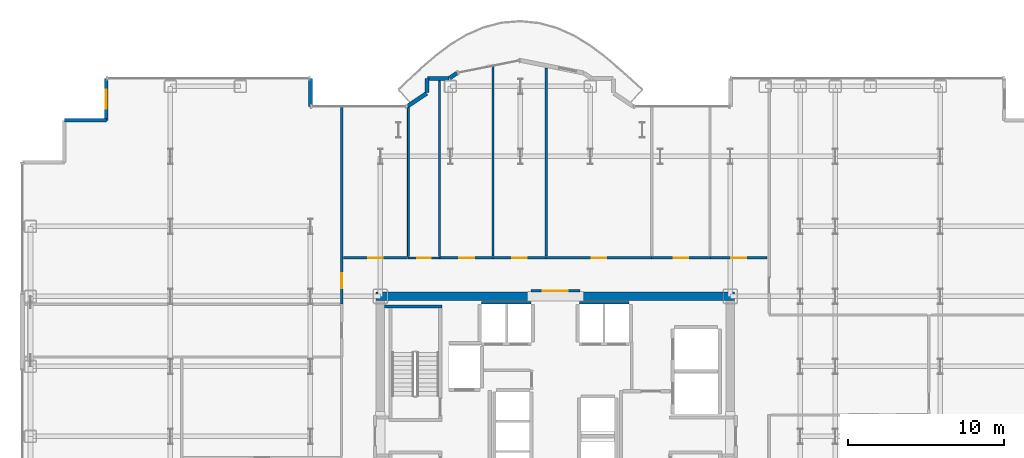
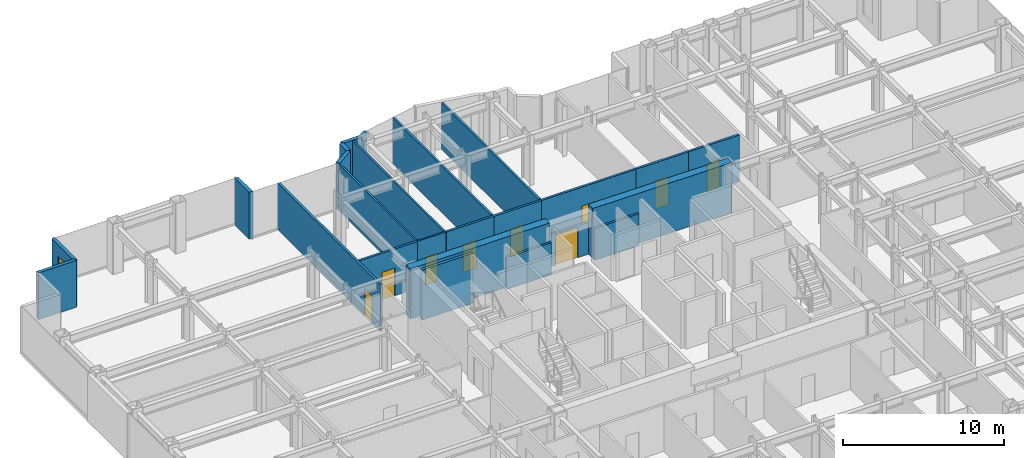
# One storey, part 26 of 29: 25 walls, 9 doors, 1 window, 10 openings.
"""IFC4 building model written with IfcOpenShell, lengths in metres."""

from ifc_helpers import new_model, si_unit, direction, frame, frame_2d, origin, place, context, subcontext, project, spatial, rectangle, extrude, source, transform, mapped, material, layer, layer_set, type_object, element, fill, save


model = new_model("IFC4")

# Units and contexts
model_context = context("Model", 3, precision=1e-05, world=origin(), true_north=direction((0.0, 1.0)))
body_context = subcontext(model_context, "Body", "Model", "MODEL_VIEW")
ifc_project = project(units=[si_unit("LENGTHUNIT", "METRE"), si_unit("AREAUNIT", "SQUARE_METRE"), si_unit("VOLUMEUNIT", "CUBIC_METRE"), si_unit("PLANEANGLEUNIT", "RADIAN"), si_unit("MASSUNIT", "GRAM", prefix="KILO")], contexts=[model_context])

# Site, building, storey
site_placement = place(None, origin())
site = spatial("IfcSite", under=ifc_project, at=site_placement, CompositionType="ELEMENT")
building_placement = place(site_placement, origin())
building = spatial("IfcBuilding", under=site, at=building_placement, Name="Nefas-Gora Pilgrimage Tower", CompositionType="ELEMENT")
storey_placement = place(building_placement, frame((0.0, 0.0, 113.60009765625)))
storey = spatial("IfcBuildingStorey", under=building, at=storey_placement, Name="L27", CompositionType="ELEMENT", Elevation=113.60009765625)

# Walls
ifc_material_1 = material(Name="Concrete C60/75", Category="concrete")
ifc_layer_1 = layer(ifc_material_1, 0.550048828125)
ifc_layer_set_1 = layer_set([ifc_layer_1], Name="Concrete C60/75")
wall_type_1 = type_object("IfcWallType", Name="SW-CORE-550", PredefinedType="SHEAR", material=ifc_layer_set_1)
shared_shape_1 = source(origin(), body_context, "Body", "SweptSolid", [
    extrude(rectangle(XDim=9.974853515625, YDim=0.550048828125, at=frame_2d((4.9873046875, 0.0))), origin(), (0.0, 0.0, 1.0), 3.7998046875),
])
for number, where, z_axis, x_axis, name in (
    (1, (-11.52490234375, 9.0, 0.0), (0.0, 0.0, 1.0), (1.0, 0.0, 0.0), "L27 Core Shear Wall N-West"),
    (2, (1.550048828125, 9.0, 0.0), (0.0, 0.0, 1.0), (1.0, 0.0, 0.0), "L27 Core Shear Wall N-East"),
):
    element("IfcWall", number, at=place(storey_placement, frame(where, z_axis=z_axis, x_axis=x_axis)), inside=storey, type_object=wall_type_1, Name=name, PredefinedType="SHEAR", context=body_context, shape_type="MappedRepresentation", body=[
        mapped(shared_shape_1, transform((0.0, 0.0, 0.0), x_axis=(1.0, 0.0, 0.0), y_axis=(0.0, 1.0, 0.0), z_axis=(0.0, 0.0, 1.0), scale=1.0)),
    ])
ifc_material_2 = material(Name="Precast concrete C40/50", Category="concrete")
ifc_layer_2 = layer(ifc_material_2, 0.260009765625)
ifc_layer_set_2 = layer_set([ifc_layer_2], Name="Precast concrete C40/50")
wall_type_2 = type_object("IfcWallType", Name="EW-PORTAL-260", PredefinedType="SOLIDWALL", material=ifc_layer_set_2)
shared_shape_2 = source(origin(), body_context, "Body", "SweptSolid", [
    extrude(rectangle(XDim=1.800048828125, YDim=0.260009765625, at=frame_2d((0.89990234375, 0.0))), origin(), (0.0, 0.0, 1.0), 3.5498046875),
])
wall_1_placement = place(storey_placement, frame((-15.75, 21.219970703125, 0.0), z_axis=(0.0, 0.0, 1.0), x_axis=(0.0, 1.0, 0.0)))
element("IfcWall", 3, at=wall_1_placement, inside=storey, type_object=wall_type_2, Name="L27 Lobe Shoulder Precast Spandrel Pier 24", PredefinedType="SOLIDWALL", context=body_context, shape_type="MappedRepresentation", body=[
    mapped(shared_shape_2, transform((0.0, 0.0, 0.0), x_axis=(1.0, 0.0, 0.0), y_axis=(0.0, 1.0, 0.0), z_axis=(0.0, 0.0, 1.0), scale=1.0)),
])

# Wall, opening, window
ifc_material_3 = material(Name="Precast concrete C45/55", Category="concrete")
ifc_layer_3 = layer(ifc_material_3, 0.239990234375)
ifc_layer_set_3 = layer_set([ifc_layer_3], Name="Precast concrete C45/55")
wall_type_3 = type_object("IfcWallType", Name="EW-SERR-240", PredefinedType="SHEAR", material=ifc_layer_set_3)
shared_shape_3 = source(origin(), body_context, "Body", "SweptSolid", [
    extrude(rectangle(XDim=2.699951171875, YDim=0.239990234375, at=frame_2d((1.35009765625, 0.0))), origin(), (0.0, 0.0, 1.0), 3.5498046875),
])
wall_2_placement = place(storey_placement, frame((-28.8701171875, 23.02001953125, 0.0), z_axis=(0.0, 0.0, 1.0), x_axis=(0.0, -1.0, 0.0)))
wall_2 = element("IfcWall", 4, at=wall_2_placement, inside=storey, type_object=wall_type_3, Name="L27 Serrated Corner Shear Pier Wall 25", PredefinedType="SHEAR", context=body_context, shape_type="MappedRepresentation", body=[
    mapped(shared_shape_3, transform((0.0, 0.0, 0.0), x_axis=(1.0, 0.0, 0.0), y_axis=(0.0, 1.0, 0.0), z_axis=(0.0, 0.0, 1.0), scale=1.0)),
])
opening_1_placement = place(wall_2_placement, frame((0.75, 0.0, 0.85009765625)))
opening_1 = element("IfcOpeningElement", 5, at=opening_1_placement, cuts=wall_2, Name="Opening W-V1", PredefinedType="OPENING", context=body_context, shape_type="SweptSolid", body=[
    extrude(rectangle(XDim=1.199951171875, YDim=1.800048828125, at=frame_2d((0.60009765625, 0.89990234375))), frame((0.0, 0.1298828125, 0.0), z_axis=(0.0, -1.0, 0.0), x_axis=(1.0, 0.0, 0.0)), (0.0, 0.0, 1.0), 0.260009765625),
])
ifc_material_4 = material(Name="Dark ceramic-fritted operable aluminium-glass window", Category="aluminium")
window_type = type_object("IfcWindowType", Name="WIN-VENT-1200x1800", PartitioningType="SINGLE_PANEL", PredefinedType="WINDOW", material=ifc_material_4)
shared_shape_4 = source(origin(), body_context, "Body", "SweptSolid", [
    extrude(rectangle(XDim=1.199951171875, YDim=1.800048828125, at=frame_2d((0.60009765625, 0.89990234375))), frame((0.0, 0.030029296875, 0.0), z_axis=(0.0, -1.0, 0.0), x_axis=(1.0, 0.0, 0.0)), (0.0, 0.0, 1.0), 0.06005859375),
])
window_placement = place(opening_1_placement, origin())
window = element("IfcWindow", 6, at=window_placement, inside=storey, type_object=window_type, Name="L27 Operable Parallel-Outswing Window 25", OverallHeight=1.800048828125, OverallWidth=1.199951171875, PartitioningType="SINGLE_PANEL", PredefinedType="WINDOW", context=body_context, shape_type="MappedRepresentation", body=[
    mapped(shared_shape_4, transform((0.0, 0.0, 0.0), x_axis=(1.0, 0.0, 0.0), y_axis=(0.0, 1.0, 0.0), z_axis=(0.0, 0.0, 1.0), scale=1.0)),
])
fill(opening_1, window)

# Walls
wall_3_placement = place(storey_placement, frame((-28.8701171875, 20.320068359375, 0.0), z_axis=(0.0, 0.0, 1.0), x_axis=(-1.0, 0.0, 0.0)))
element("IfcWall", 7, at=wall_3_placement, inside=storey, type_object=wall_type_3, Name="L27 Serrated Corner Shear Pier Wall 26", PredefinedType="SHEAR", context=body_context, shape_type="MappedRepresentation", body=[
    mapped(shared_shape_3, transform((0.0, 0.0, 0.0), x_axis=(1.0, 0.0, 0.0), y_axis=(0.0, 1.0, 0.0), z_axis=(0.0, 0.0, 1.0), scale=1.0)),
])
shared_shape_5 = source(origin(), body_context, "Body", "SweptSolid", [
    extrude(rectangle(XDim=1.468994140625, YDim=0.260009765625, at=frame_2d((0.734375, 0.0))), origin(), (0.0, 0.0, 1.0), 3.5498046875),
])
wall_4_placement = place(storey_placement, frame((-8.273193359375, 22.0517578125, 0.0), z_axis=(0.0, 0.0, 1.0), x_axis=(-0.831461760506, -0.555581983884, 0.0)))
element("IfcWall", 8, at=wall_4_placement, inside=storey, type_object=wall_type_2, Name="L27 Lobe Shoulder Precast Spandrel Pier 23", PredefinedType="SOLIDWALL", context=body_context, shape_type="MappedRepresentation", body=[
    mapped(shared_shape_5, transform((0.0, 0.0, 0.0), x_axis=(1.0, 0.0, 0.0), y_axis=(0.0, 1.0, 0.0), z_axis=(0.0, 0.0, 1.0), scale=1.0)),
])
shared_shape_6 = source(origin(), body_context, "Body", "SweptSolid", [
    extrude(rectangle(XDim=0.896728515625, YDim=0.260009765625, at=frame_2d((0.4482421875, 0.0))), origin(), (0.0, 0.0, 1.0), 3.5498046875),
])
wall_5_placement = place(storey_placement, frame((-8.25, 22.991943359375, 0.0), z_axis=(0.0, 0.0, 1.0), x_axis=(0.0, -1.0, 0.0)))
element("IfcWall", 9, at=wall_5_placement, inside=storey, type_object=wall_type_2, Name="L27 Lobe Shoulder Precast Spandrel Pier 22", PredefinedType="SOLIDWALL", context=body_context, shape_type="MappedRepresentation", body=[
    mapped(shared_shape_6, transform((0.0, 0.0, 0.0), x_axis=(1.0, 0.0, 0.0), y_axis=(0.0, 1.0, 0.0), z_axis=(0.0, 0.0, 1.0), scale=1.0)),
])
shared_shape_7 = source(origin(), body_context, "Body", "SweptSolid", [
    extrude(rectangle(XDim=1.369873046875, YDim=0.260009765625, at=frame_2d((0.68505859375, 0.0))), origin(), (0.0, 0.0, 1.0), 3.5498046875),
])
wall_6_placement = place(storey_placement, frame((-6.85205078125, 23.02001953125, 0.0), z_axis=(0.0, 0.0, 1.0), x_axis=(-1.0, 0.0, 0.0)))
element("IfcWall", 10, at=wall_6_placement, inside=storey, type_object=wall_type_2, Name="L27 Lobe Shoulder Precast Spandrel Pier 21", PredefinedType="SOLIDWALL", context=body_context, shape_type="MappedRepresentation", body=[
    mapped(shared_shape_7, transform((0.0, 0.0, 0.0), x_axis=(1.0, 0.0, 0.0), y_axis=(0.0, 1.0, 0.0), z_axis=(0.0, 0.0, 1.0), scale=1.0)),
])
shared_shape_8 = source(origin(), body_context, "Body", "SweptSolid", [
    extrude(rectangle(XDim=0.5654296875, YDim=0.260009765625, at=frame_2d((0.28271484375, 0.0))), origin(), (0.0, 0.0, 1.0), 3.5498046875),
])
wall_7_placement = place(storey_placement, frame((-6.33056640625, 23.349609375, 0.0), z_axis=(0.0, 0.0, 1.0), x_axis=(-0.831651492666, -0.555297933317, 0.0)))
element("IfcWall", 11, at=wall_7_placement, inside=storey, type_object=wall_type_2, Name="L27 Lobe Shoulder Precast Spandrel Pier 20", PredefinedType="SOLIDWALL", context=body_context, shape_type="MappedRepresentation", body=[
    mapped(shared_shape_8, transform((0.0, 0.0, 0.0), x_axis=(1.0, 0.0, 0.0), y_axis=(0.0, 1.0, 0.0), z_axis=(0.0, 0.0, 1.0), scale=1.0)),
])
ifc_material_5 = material(Name="Concrete C45/55", Category="concrete")
ifc_layer_4 = layer(ifc_material_5, 0.199951171875)
ifc_layer_set_4 = layer_set([ifc_layer_4], Name="Concrete C45/55")
wall_type_4 = type_object("IfcWallType", Name="IW-STAIR-200", PredefinedType="SOLIDWALL", material=ifc_layer_set_4)
shared_shape_9 = source(origin(), body_context, "Body", "SweptSolid", [
    extrude(rectangle(XDim=3.679931640625, YDim=0.199951171875, at=frame_2d((1.83984375, 0.0))), origin(), (0.0, 0.0, 1.0), 3.7998046875),
])
wall_8_placement = place(storey_placement, frame((-7.300048828125, 8.35009765625, 0.0), z_axis=(0.0, 0.0, 1.0), x_axis=(-1.0, 0.0, 0.0)))
element("IfcWall", 12, at=wall_8_placement, inside=storey, type_object=wall_type_4, Name="L27 Stairwell Shear Wall ST-01-far", PredefinedType="SOLIDWALL", context=body_context, shape_type="MappedRepresentation", body=[
    mapped(shared_shape_9, transform((0.0, 0.0, 0.0), x_axis=(1.0, 0.0, 0.0), y_axis=(0.0, 1.0, 0.0), z_axis=(0.0, 0.0, 1.0), scale=1.0)),
])
ifc_material_6 = material(Name="Gypsum acoustic stud partition")
ifc_layer_5 = layer(ifc_material_6, 0.159912109375)
ifc_layer_set_5 = layer_set([ifc_layer_5], Name="Gypsum acoustic stud partition")
wall_type_5 = type_object("IfcWallType", Name="IW-CORR-160", PredefinedType="PARTITIONING", material=ifc_layer_set_5)
shared_shape_10 = source(origin(), body_context, "Body", "SweptSolid", [
    extrude(rectangle(XDim=3.199951171875, YDim=0.159912109375, at=frame_2d((1.60009765625, 0.0))), origin(), (0.0, 0.0, 1.0), 2.4248046875),
])
for number, where, z_axis, x_axis, name in (
    (13, (-1.550048828125, 8.580078125, 0.0), (0.0, 0.0, 1.0), (-1.0, 0.0, 0.0), "L27 Hoistway Wall PL1-W-N"),
    (14, (4.75, 8.580078125, 0.0), (0.0, 0.0, 1.0), (-1.0, 0.0, 0.0), "L27 Hoistway Wall PL1-E-N"),
):
    element("IfcWall", number, at=place(storey_placement, frame(where, z_axis=z_axis, x_axis=x_axis)), inside=storey, type_object=wall_type_5, Name=name, PredefinedType="PARTITIONING", context=body_context, shape_type="MappedRepresentation", body=[
        mapped(shared_shape_10, transform((0.0, 0.0, 0.0), x_axis=(1.0, 0.0, 0.0), y_axis=(0.0, 1.0, 0.0), z_axis=(0.0, 0.0, 1.0), scale=1.0)),
    ])

# Wall, opening, door
ifc_material_7 = material(Name="Moisture-resistant fire-rated gypsum partition")
ifc_layer_6 = layer(ifc_material_7, 0.1201171875)
ifc_layer_set_6 = layer_set([ifc_layer_6], Name="Moisture-resistant fire-rated gypsum partition")
wall_type_6 = type_object("IfcWallType", Name="IW-WET-120", PredefinedType="PLUMBINGWALL", material=ifc_layer_set_6)
shared_shape_11 = source(origin(), body_context, "Body", "SweptSolid", [
    extrude(rectangle(XDim=2.02001953125, YDim=0.1201171875, at=frame_2d((1.010009765625, 0.0))), origin(), (0.0, 0.0, 1.0), 3.534912109375),
])
wall_9_placement = place(storey_placement, frame((-9.4599609375, 11.469970703125, 0.0), z_axis=(0.0, 0.0, 1.0), x_axis=(1.0, 0.0, 0.0)))
wall_9 = element("IfcWall", 15, at=wall_9_placement, inside=storey, type_object=wall_type_6, Name="L27 Accessible Unisex WC Partition Wall 20", PredefinedType="PLUMBINGWALL", context=body_context, shape_type="MappedRepresentation", body=[
    mapped(shared_shape_11, transform((0.0, 0.0, 0.0), x_axis=(1.0, 0.0, 0.0), y_axis=(0.0, 1.0, 0.0), z_axis=(0.0, 0.0, 1.0), scale=1.0)),
])
opening_2_placement = place(wall_9_placement, frame((0.5849609375, 0.0, 0.0)))
opening_2 = element("IfcOpeningElement", 16, at=opening_2_placement, cuts=wall_9, Name="Opening ID-BT1", PredefinedType="OPENING", context=body_context, shape_type="SweptSolid", body=[
    extrude(rectangle(XDim=0.85009765625, YDim=2.10009765625, at=frame_2d((0.425048828125, 1.050048828125))), frame((0.0, 0.070068359375, 0.0), z_axis=(0.0, -1.0, 0.0), x_axis=(1.0, 0.0, 0.0)), (0.0, 0.0, 1.0), 0.14013671875),
])
ifc_material_8 = material(Name="Moisture-resistant fire-rated timber door", Category="wood")
door_type_1 = type_object("IfcDoorType", Name="DR-INT-BATH-850", OperationType="NOTDEFINED", PredefinedType="DOOR", material=ifc_material_8)
shared_shape_12 = source(origin(), body_context, "Body", "SweptSolid", [
    extrude(rectangle(XDim=0.85009765625, YDim=2.10009765625, at=frame_2d((0.425048828125, 1.050048828125))), frame((0.0, 0.02490234375, 0.0), z_axis=(0.0, -1.0, 0.0), x_axis=(1.0, 0.0, 0.0)), (0.0, 0.0, 1.0), 0.050048828125),
])
door_1_placement = place(opening_2_placement, origin())
door_1 = element("IfcDoor", 17, at=door_1_placement, inside=storey, type_object=door_type_1, Name="L27 Accessible Unisex WC Door 8", OperationType="SINGLE_SWING_RIGHT", OverallHeight=2.10009765625, OverallWidth=0.85009765625, PredefinedType="DOOR", context=body_context, shape_type="MappedRepresentation", body=[
    mapped(shared_shape_12, transform((0.0, 0.0, 0.0), x_axis=(1.0, 0.0, 0.0), y_axis=(0.0, 1.0, 0.0), z_axis=(0.0, 0.0, 1.0), scale=1.0)),
])
fill(opening_2, door_1)

# Walls
shared_shape_13 = source(origin(), body_context, "Body", "SweptSolid", [
    extrude(rectangle(XDim=11.280029296875, YDim=0.1201171875, at=frame_2d((5.64013671875, 0.0))), origin(), (0.0, 0.0, 1.0), 3.534912109375),
])
wall_10_placement = place(storey_placement, frame((-7.449951171875, 11.570068359375, 0.0), z_axis=(0.0, 0.0, 1.0), x_axis=(0.0, 1.0, 0.0)))
element("IfcWall", 18, at=wall_10_placement, inside=storey, type_object=wall_type_6, Name="L27 Accessible Unisex WC Partition Wall 21", PredefinedType="PLUMBINGWALL", context=body_context, shape_type="MappedRepresentation", body=[
    mapped(shared_shape_13, transform((0.0, 0.0, 0.0), x_axis=(1.0, 0.0, 0.0), y_axis=(0.0, 1.0, 0.0), z_axis=(0.0, 0.0, 1.0), scale=1.0)),
])
shared_shape_14 = source(origin(), body_context, "Body", "SweptSolid", [
    extrude(rectangle(XDim=9.586669921875, YDim=0.1201171875, at=frame_2d((4.79345703125, 0.0))), origin(), (0.0, 0.0, 1.0), 3.534912109375),
])
wall_11_placement = place(storey_placement, frame((-9.449951171875, 11.570068359375, 0.0), z_axis=(0.0, 0.0, 1.0), x_axis=(0.0, 1.0, 0.0)))
element("IfcWall", 19, at=wall_11_placement, inside=storey, type_object=wall_type_6, Name="L27 Accessible Unisex WC Partition Wall 22", PredefinedType="PLUMBINGWALL", context=body_context, shape_type="MappedRepresentation", body=[
    mapped(shared_shape_14, transform((0.0, 0.0, 0.0), x_axis=(1.0, 0.0, 0.0), y_axis=(0.0, 1.0, 0.0), z_axis=(0.0, 0.0, 1.0), scale=1.0)),
])

# Wall, opening, door
shared_shape_15 = source(origin(), body_context, "Body", "SweptSolid", [
    extrude(rectangle(XDim=4.125, YDim=0.159912109375, at=frame_2d((2.0625, 0.0))), origin(), (0.0, 0.0, 1.0), 3.534912109375),
])
wall_12_placement = place(storey_placement, frame((-13.6201171875, 11.469970703125, 0.0), z_axis=(0.0, 0.0, 1.0), x_axis=(1.0, 0.0, 0.0)))
wall_12 = element("IfcWall", 20, at=wall_12_placement, inside=storey, type_object=wall_type_5, Name="L27 Pilgrim Contemplative Lounge Partition Wall 44", PredefinedType="PARTITIONING", context=body_context, shape_type="MappedRepresentation", body=[
    mapped(shared_shape_15, transform((0.0, 0.0, 0.0), x_axis=(1.0, 0.0, 0.0), y_axis=(0.0, 1.0, 0.0), z_axis=(0.0, 0.0, 1.0), scale=1.0)),
])
opening_3_placement = place(wall_12_placement, frame((1.58740234375, 0.0, 0.0)))
opening_3 = element("IfcOpeningElement", 21, at=opening_3_placement, cuts=wall_12, Name="Opening ID-GR1", PredefinedType="OPENING", context=body_context, shape_type="SweptSolid", body=[
    extrude(rectangle(XDim=0.949951171875, YDim=2.10009765625, at=frame_2d((0.47509765625, 1.050048828125))), frame((0.0, 0.08984375, 0.0), z_axis=(0.0, -1.0, 0.0), x_axis=(1.0, 0.0, 0.0)), (0.0, 0.0, 1.0), 0.179931640625),
])
ifc_material_9 = material(Name="Solid core oak fire-rated guest entrance door")
door_type_2 = type_object("IfcDoorType", Name="DR-INT-GUEST-950", OperationType="NOTDEFINED", PredefinedType="DOOR", material=ifc_material_9)
shared_shape_16 = source(origin(), body_context, "Body", "SweptSolid", [
    extrude(rectangle(XDim=0.949951171875, YDim=2.10009765625, at=frame_2d((0.47509765625, 1.050048828125))), frame((0.0, 0.02490234375, 0.0), z_axis=(0.0, -1.0, 0.0), x_axis=(1.0, 0.0, 0.0)), (0.0, 0.0, 1.0), 0.050048828125),
])
door_2_placement = place(opening_3_placement, origin())
door_2 = element("IfcDoor", 22, at=door_2_placement, inside=storey, type_object=door_type_2, Name="L27 Pilgrim Contemplative Lounge Door 20", OperationType="SINGLE_SWING_RIGHT", OverallHeight=2.10009765625, OverallWidth=0.949951171875, PredefinedType="DOOR", context=body_context, shape_type="MappedRepresentation", body=[
    mapped(shared_shape_16, transform((0.0, 0.0, 0.0), x_axis=(1.0, 0.0, 0.0), y_axis=(0.0, 1.0, 0.0), z_axis=(0.0, 0.0, 1.0), scale=1.0)),
])
fill(opening_3, door_2)

shared_shape_17 = source(origin(), body_context, "Body", "SweptSolid", [
    extrude(rectangle(XDim=12.744873046875, YDim=0.159912109375, at=frame_2d((6.37255859375, 0.0))), origin(), (0.0, 0.0, 1.0), 3.534912109375),
])
wall_13_placement = place(storey_placement, frame((-13.739990234375, 8.4951171875, 0.0), z_axis=(0.0, 0.0, 1.0), x_axis=(0.0, 1.0, 0.0)))
wall_13 = element("IfcWall", 23, at=wall_13_placement, inside=storey, type_object=wall_type_5, Name="L27 Pilgrim Fellowship Seminar Room Partition Wall 33", PredefinedType="PARTITIONING", context=body_context, shape_type="MappedRepresentation", body=[
    mapped(shared_shape_17, transform((0.0, 0.0, 0.0), x_axis=(1.0, 0.0, 0.0), y_axis=(0.0, 1.0, 0.0), z_axis=(0.0, 0.0, 1.0), scale=1.0)),
])
opening_4_placement = place(wall_13_placement, frame((1.032470703125, 0.0, 0.0)))
opening_4 = element("IfcOpeningElement", 24, at=opening_4_placement, cuts=wall_13, Name="Opening ID-GR1", PredefinedType="OPENING", context=body_context, shape_type="SweptSolid", body=[
    extrude(rectangle(XDim=0.949951171875, YDim=2.10009765625, at=frame_2d((0.47509765625, 1.050048828125))), frame((0.0, 0.08984375, 0.0), z_axis=(0.0, -1.0, 0.0), x_axis=(1.0, 0.0, 0.0)), (0.0, 0.0, 1.0), 0.179931640625),
])
door_3_placement = place(opening_4_placement, origin())
door_3 = element("IfcDoor", 25, at=door_3_placement, inside=storey, type_object=door_type_2, Name="L27 Pilgrim Fellowship Seminar Room Door 14", OperationType="SINGLE_SWING_RIGHT", OverallHeight=2.10009765625, OverallWidth=0.949951171875, PredefinedType="DOOR", context=body_context, shape_type="MappedRepresentation", body=[
    mapped(shared_shape_16, transform((0.0, 0.0, 0.0), x_axis=(1.0, 0.0, 0.0), y_axis=(0.0, 1.0, 0.0), z_axis=(0.0, 0.0, 1.0), scale=1.0)),
])
fill(opening_4, door_3)

shared_shape_18 = source(origin(), body_context, "Body", "SweptSolid", [
    extrude(rectangle(XDim=3.16015625, YDim=0.159912109375, at=frame_2d((1.580078125, 0.0))), origin(), (0.0, 0.0, 1.0), 2.4248046875),
])
wall_14_placement = place(storey_placement, frame((-1.580078125, 9.35009765625, 0.0), z_axis=(0.0, 0.0, 1.0), x_axis=(1.0, 0.0, 0.0)))
wall_14 = element("IfcWall", 26, at=wall_14_placement, inside=storey, type_object=wall_type_5, Name="L27 Central Lift Lobby North Portal Wall 13", PredefinedType="PARTITIONING", context=body_context, shape_type="MappedRepresentation", body=[
    mapped(shared_shape_18, transform((0.0, 0.0, 0.0), x_axis=(1.0, 0.0, 0.0), y_axis=(0.0, 1.0, 0.0), z_axis=(0.0, 0.0, 1.0), scale=1.0)),
])
opening_5_placement = place(wall_14_placement, frame((0.780029296875, 0.0, 0.0)))
opening_5 = element("IfcOpeningElement", 27, at=opening_5_placement, cuts=wall_14, Name="Opening ID-HL1", PredefinedType="OPENING", context=body_context, shape_type="SweptSolid", body=[
    extrude(rectangle(XDim=1.60009765625, YDim=2.300048828125, at=frame_2d((0.800048828125, 1.14990234375))), frame((0.0, 0.08984375, 0.0), z_axis=(0.0, -1.0, 0.0), x_axis=(1.0, 0.0, 0.0)), (0.0, 0.0, 1.0), 0.179931640625),
])
ifc_material_10 = material(Name="Double acoustic timber assembly hall door", Category="wood")
door_type_3 = type_object("IfcDoorType", Name="DR-INT-HALL-1600", OperationType="DOUBLE_DOOR_SINGLE_SWING", PredefinedType="DOOR", material=ifc_material_10)
shared_shape_19 = source(origin(), body_context, "Body", "SweptSolid", [
    extrude(rectangle(XDim=1.60009765625, YDim=2.300048828125, at=frame_2d((0.800048828125, 1.14990234375))), frame((0.0, 0.02490234375, 0.0), z_axis=(0.0, -1.0, 0.0), x_axis=(1.0, 0.0, 0.0)), (0.0, 0.0, 1.0), 0.050048828125),
])
door_4_placement = place(opening_5_placement, origin())
door_4 = element("IfcDoor", 28, at=door_4_placement, inside=storey, type_object=door_type_3, Name="L27 Central Lift Lobby North Portal Door 4", OperationType="DOUBLE_DOOR_SINGLE_SWING", OverallHeight=2.300048828125, OverallWidth=1.60009765625, PredefinedType="DOOR", context=body_context, shape_type="MappedRepresentation", body=[
    mapped(shared_shape_19, transform((0.0, 0.0, 0.0), x_axis=(1.0, 0.0, 0.0), y_axis=(0.0, 1.0, 0.0), z_axis=(0.0, 0.0, 1.0), scale=1.0)),
])
fill(opening_5, door_4)

shared_shape_20 = source(origin(), body_context, "Body", "SweptSolid", [
    extrude(rectangle(XDim=6.80517578125, YDim=0.159912109375, at=frame_2d((3.402587890625, 0.0))), origin(), (0.0, 0.0, 1.0), 3.534912109375),
])
wall_15_placement = place(storey_placement, frame((-0.60009765625, 11.469970703125, 0.0), z_axis=(0.0, 0.0, 1.0), x_axis=(1.0, 0.0, 0.0)))
wall_15 = element("IfcWall", 29, at=wall_15_placement, inside=storey, type_object=wall_type_5, Name="L27 Pilgrim Contemplative Lounge Partition Wall 45", PredefinedType="PARTITIONING", context=body_context, shape_type="MappedRepresentation", body=[
    mapped(shared_shape_20, transform((0.0, 0.0, 0.0), x_axis=(1.0, 0.0, 0.0), y_axis=(0.0, 1.0, 0.0), z_axis=(0.0, 0.0, 1.0), scale=1.0)),
])
opening_6_placement = place(wall_15_placement, frame((2.927490234375, 0.0, 0.0)))
opening_6 = element("IfcOpeningElement", 30, at=opening_6_placement, cuts=wall_15, Name="Opening ID-GR1", PredefinedType="OPENING", context=body_context, shape_type="SweptSolid", body=[
    extrude(rectangle(XDim=0.949951171875, YDim=2.10009765625, at=frame_2d((0.47509765625, 1.050048828125))), frame((0.0, 0.08984375, 0.0), z_axis=(0.0, -1.0, 0.0), x_axis=(1.0, 0.0, 0.0)), (0.0, 0.0, 1.0), 0.179931640625),
])
door_5_placement = place(opening_6_placement, origin())
door_5 = element("IfcDoor", 31, at=door_5_placement, inside=storey, type_object=door_type_2, Name="L27 Pilgrim Contemplative Lounge Door 21", OperationType="SINGLE_SWING_LEFT", OverallHeight=2.10009765625, OverallWidth=0.949951171875, PredefinedType="DOOR", context=body_context, shape_type="MappedRepresentation", body=[
    mapped(shared_shape_16, transform((0.0, 0.0, 0.0), x_axis=(1.0, 0.0, 0.0), y_axis=(0.0, 1.0, 0.0), z_axis=(0.0, 0.0, 1.0), scale=1.0)),
])
fill(opening_6, door_5)

# Wall
ifc_material_11 = material(Name="Gypsum twin-stud partition")
ifc_layer_7 = layer(ifc_material_11, 0.139892578125)
ifc_layer_set_7 = layer_set([ifc_layer_7], Name="Gypsum twin-stud partition")
wall_type_7 = type_object("IfcWallType", Name="IW-UNIT-140", PredefinedType="PARTITIONING", material=ifc_layer_set_7)
shared_shape_21 = source(origin(), body_context, "Body", "SweptSolid", [
    extrude(rectangle(XDim=12.0791015625, YDim=0.139892578125, at=frame_2d((6.03955078125, 0.0))), origin(), (0.0, 0.0, 1.0), 3.534912109375),
])
wall_16_placement = place(storey_placement, frame((-0.590087890625, 11.590087890625, 0.0), z_axis=(0.0, 0.0, 1.0), x_axis=(0.0, 1.0, 0.0)))
element("IfcWall", 32, at=wall_16_placement, inside=storey, type_object=wall_type_7, Name="L27 Pilgrim Contemplative Lounge Partition Wall 46", PredefinedType="PARTITIONING", context=body_context, shape_type="MappedRepresentation", body=[
    mapped(shared_shape_21, transform((0.0, 0.0, 0.0), x_axis=(1.0, 0.0, 0.0), y_axis=(0.0, 1.0, 0.0), z_axis=(0.0, 0.0, 1.0), scale=1.0)),
])

# Wall, opening, door
shared_shape_22 = source(origin(), body_context, "Body", "SweptSolid", [
    extrude(rectangle(XDim=3.402587890625, YDim=0.159912109375, at=frame_2d((1.701171875, 0.0))), origin(), (0.0, 0.0, 1.0), 3.534912109375),
])
wall_17_placement = place(storey_placement, frame((-7.405029296875, 11.469970703125, 0.0), z_axis=(0.0, 0.0, 1.0), x_axis=(1.0, 0.0, 0.0)))
wall_17 = element("IfcWall", 33, at=wall_17_placement, inside=storey, type_object=wall_type_5, Name="L27 Pilgrim Contemplative Lounge Partition Wall 48", PredefinedType="PARTITIONING", context=body_context, shape_type="MappedRepresentation", body=[
    mapped(shared_shape_22, transform((0.0, 0.0, 0.0), x_axis=(1.0, 0.0, 0.0), y_axis=(0.0, 1.0, 0.0), z_axis=(0.0, 0.0, 1.0), scale=1.0)),
])
opening_7_placement = place(wall_17_placement, frame((1.226318359375, 0.0, 0.0)))
opening_7 = element("IfcOpeningElement", 34, at=opening_7_placement, cuts=wall_17, Name="Opening ID-GR1", PredefinedType="OPENING", context=body_context, shape_type="SweptSolid", body=[
    extrude(rectangle(XDim=0.949951171875, YDim=2.10009765625, at=frame_2d((0.47509765625, 1.050048828125))), frame((0.0, 0.08984375, 0.0), z_axis=(0.0, -1.0, 0.0), x_axis=(1.0, 0.0, 0.0)), (0.0, 0.0, 1.0), 0.179931640625),
])
door_6_placement = place(opening_7_placement, origin())
door_6 = element("IfcDoor", 35, at=door_6_placement, inside=storey, type_object=door_type_2, Name="L27 Pilgrim Contemplative Lounge Door 22", OperationType="SINGLE_SWING_RIGHT", OverallHeight=2.10009765625, OverallWidth=0.949951171875, PredefinedType="DOOR", context=body_context, shape_type="MappedRepresentation", body=[
    mapped(shared_shape_16, transform((0.0, 0.0, 0.0), x_axis=(1.0, 0.0, 0.0), y_axis=(0.0, 1.0, 0.0), z_axis=(0.0, 0.0, 1.0), scale=1.0)),
])
fill(opening_7, door_6)

# Wall
shared_shape_23 = source(origin(), body_context, "Body", "SweptSolid", [
    extrude(rectangle(XDim=12.256103515625, YDim=0.139892578125, at=frame_2d((6.1279296875, 0.0))), origin(), (0.0, 0.0, 1.0), 3.534912109375),
])
wall_18_placement = place(storey_placement, frame((-4.012451171875, 11.590087890625, 0.0), z_axis=(0.0, 0.0, 1.0), x_axis=(0.0, 1.0, 0.0)))
element("IfcWall", 36, at=wall_18_placement, inside=storey, type_object=wall_type_7, Name="L27 Pilgrim Contemplative Lounge Partition Wall 49", PredefinedType="PARTITIONING", context=body_context, shape_type="MappedRepresentation", body=[
    mapped(shared_shape_23, transform((0.0, 0.0, 0.0), x_axis=(1.0, 0.0, 0.0), y_axis=(0.0, 1.0, 0.0), z_axis=(0.0, 0.0, 1.0), scale=1.0)),
])

# Wall, opening, door
shared_shape_24 = source(origin(), body_context, "Body", "SweptSolid", [
    extrude(rectangle(XDim=3.40234375, YDim=0.159912109375, at=frame_2d((1.701171875, 0.0))), origin(), (0.0, 0.0, 1.0), 3.534912109375),
])
wall_19_placement = place(storey_placement, frame((-4.00244140625, 11.469970703125, 0.0), z_axis=(0.0, 0.0, 1.0), x_axis=(1.0, 0.0, 0.0)))
wall_19 = element("IfcWall", 37, at=wall_19_placement, inside=storey, type_object=wall_type_5, Name="L27 Pilgrim Contemplative Lounge Partition Wall 50", PredefinedType="PARTITIONING", context=body_context, shape_type="MappedRepresentation", body=[
    mapped(shared_shape_24, transform((0.0, 0.0, 0.0), x_axis=(1.0, 0.0, 0.0), y_axis=(0.0, 1.0, 0.0), z_axis=(0.0, 0.0, 1.0), scale=1.0)),
])
opening_8_placement = place(wall_19_placement, frame((1.226318359375, 0.0, 0.0)))
opening_8 = element("IfcOpeningElement", 38, at=opening_8_placement, cuts=wall_19, Name="Opening ID-GR1", PredefinedType="OPENING", context=body_context, shape_type="SweptSolid", body=[
    extrude(rectangle(XDim=0.949951171875, YDim=2.10009765625, at=frame_2d((0.47509765625, 1.050048828125))), frame((0.0, 0.08984375, 0.0), z_axis=(0.0, -1.0, 0.0), x_axis=(1.0, 0.0, 0.0)), (0.0, 0.0, 1.0), 0.179931640625),
])
door_7_placement = place(opening_8_placement, origin())
door_7 = element("IfcDoor", 39, at=door_7_placement, inside=storey, type_object=door_type_2, Name="L27 Pilgrim Contemplative Lounge Door 23", OperationType="SINGLE_SWING_LEFT", OverallHeight=2.10009765625, OverallWidth=0.949951171875, PredefinedType="DOOR", context=body_context, shape_type="MappedRepresentation", body=[
    mapped(shared_shape_16, transform((0.0, 0.0, 0.0), x_axis=(1.0, 0.0, 0.0), y_axis=(0.0, 1.0, 0.0), z_axis=(0.0, 0.0, 1.0), scale=1.0)),
])
fill(opening_8, door_7)

shared_shape_25 = source(origin(), body_context, "Body", "SweptSolid", [
    extrude(rectangle(XDim=3.764892578125, YDim=0.159912109375, at=frame_2d((1.88232421875, 0.0))), origin(), (0.0, 0.0, 1.0), 3.534912109375),
])
wall_20_placement = place(storey_placement, frame((6.195068359375, 11.469970703125, 0.0), z_axis=(0.0, 0.0, 1.0), x_axis=(1.0, 0.0, 0.0)))
wall_20 = element("IfcWall", 40, at=wall_20_placement, inside=storey, type_object=wall_type_5, Name="L27 Pilgrim Contemplative Lounge Partition Wall 51", PredefinedType="PARTITIONING", context=body_context, shape_type="MappedRepresentation", body=[
    mapped(shared_shape_25, transform((0.0, 0.0, 0.0), x_axis=(1.0, 0.0, 0.0), y_axis=(0.0, 1.0, 0.0), z_axis=(0.0, 0.0, 1.0), scale=1.0)),
])
opening_9_placement = place(wall_20_placement, frame((1.407470703125, 0.0, 0.0)))
opening_9 = element("IfcOpeningElement", 41, at=opening_9_placement, cuts=wall_20, Name="Opening ID-GR1", PredefinedType="OPENING", context=body_context, shape_type="SweptSolid", body=[
    extrude(rectangle(XDim=0.949951171875, YDim=2.10009765625, at=frame_2d((0.47509765625, 1.050048828125))), frame((0.0, 0.08984375, 0.0), z_axis=(0.0, -1.0, 0.0), x_axis=(1.0, 0.0, 0.0)), (0.0, 0.0, 1.0), 0.179931640625),
])
door_8_placement = place(opening_9_placement, origin())
door_8 = element("IfcDoor", 42, at=door_8_placement, inside=storey, type_object=door_type_2, Name="L27 Pilgrim Contemplative Lounge Door 24", OperationType="SINGLE_SWING_RIGHT", OverallHeight=2.10009765625, OverallWidth=0.949951171875, PredefinedType="DOOR", context=body_context, shape_type="MappedRepresentation", body=[
    mapped(shared_shape_16, transform((0.0, 0.0, 0.0), x_axis=(1.0, 0.0, 0.0), y_axis=(0.0, 1.0, 0.0), z_axis=(0.0, 0.0, 1.0), scale=1.0)),
])
fill(opening_9, door_8)

shared_shape_26 = source(origin(), body_context, "Body", "SweptSolid", [
    extrude(rectangle(XDim=3.66015625, YDim=0.159912109375, at=frame_2d((1.830078125, 0.0))), origin(), (0.0, 0.0, 1.0), 3.534912109375),
])
wall_21_placement = place(storey_placement, frame((9.9599609375, 11.469970703125, 0.0), z_axis=(0.0, 0.0, 1.0), x_axis=(1.0, 0.0, 0.0)))
wall_21 = element("IfcWall", 43, at=wall_21_placement, inside=storey, type_object=wall_type_5, Name="L27 Pilgrim Contemplative Lounge Partition Wall 53", PredefinedType="PARTITIONING", context=body_context, shape_type="MappedRepresentation", body=[
    mapped(shared_shape_26, transform((0.0, 0.0, 0.0), x_axis=(1.0, 0.0, 0.0), y_axis=(0.0, 1.0, 0.0), z_axis=(0.0, 0.0, 1.0), scale=1.0)),
])
opening_10_placement = place(wall_21_placement, frame((1.35498046875, 0.0, 0.0)))
opening_10 = element("IfcOpeningElement", 44, at=opening_10_placement, cuts=wall_21, Name="Opening ID-GR1", PredefinedType="OPENING", context=body_context, shape_type="SweptSolid", body=[
    extrude(rectangle(XDim=0.949951171875, YDim=2.10009765625, at=frame_2d((0.47509765625, 1.050048828125))), frame((0.0, 0.08984375, 0.0), z_axis=(0.0, -1.0, 0.0), x_axis=(1.0, 0.0, 0.0)), (0.0, 0.0, 1.0), 0.179931640625),
])
door_9_placement = place(opening_10_placement, origin())
door_9 = element("IfcDoor", 45, at=door_9_placement, inside=storey, type_object=door_type_2, Name="L27 Pilgrim Contemplative Lounge Door 25", OperationType="SINGLE_SWING_LEFT", OverallHeight=2.10009765625, OverallWidth=0.949951171875, PredefinedType="DOOR", context=body_context, shape_type="MappedRepresentation", body=[
    mapped(shared_shape_16, transform((0.0, 0.0, 0.0), x_axis=(1.0, 0.0, 0.0), y_axis=(0.0, 1.0, 0.0), z_axis=(0.0, 0.0, 1.0), scale=1.0)),
])
fill(opening_10, door_9)

save(model, "model.ifc")
